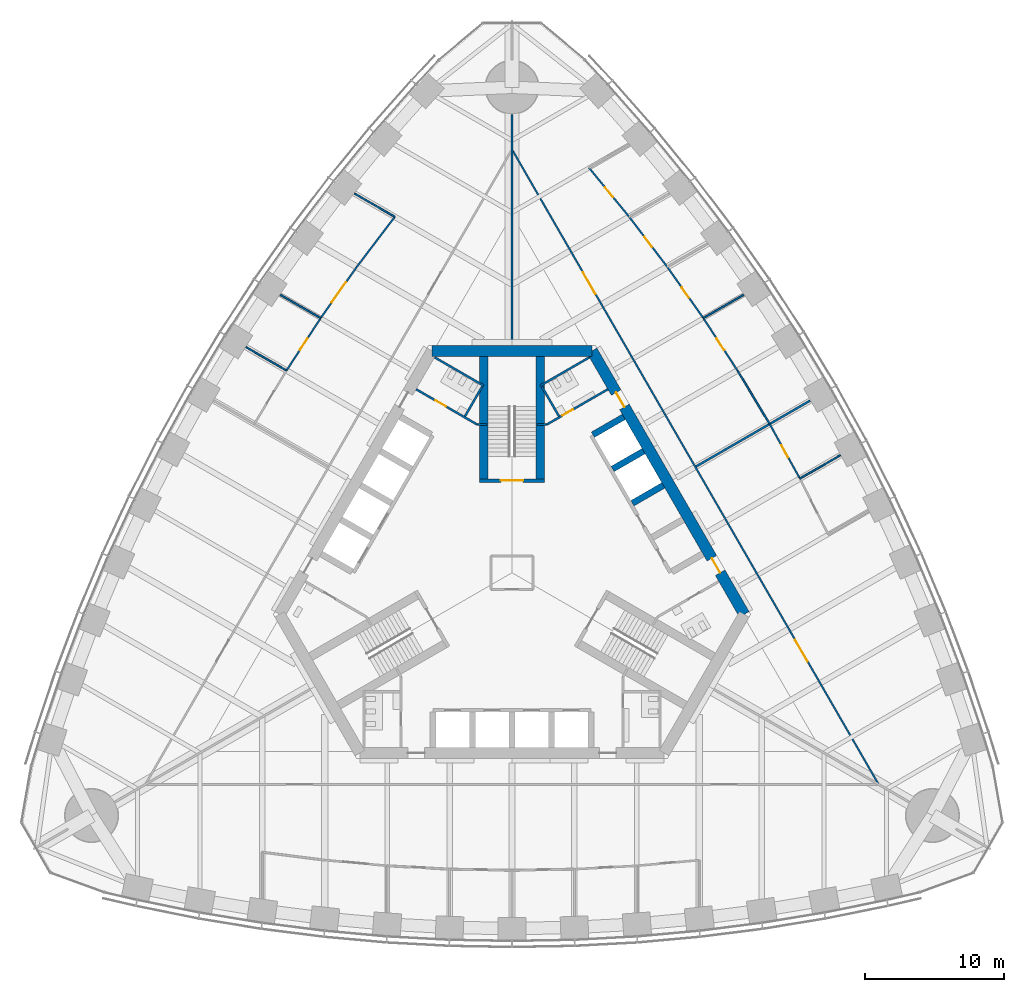
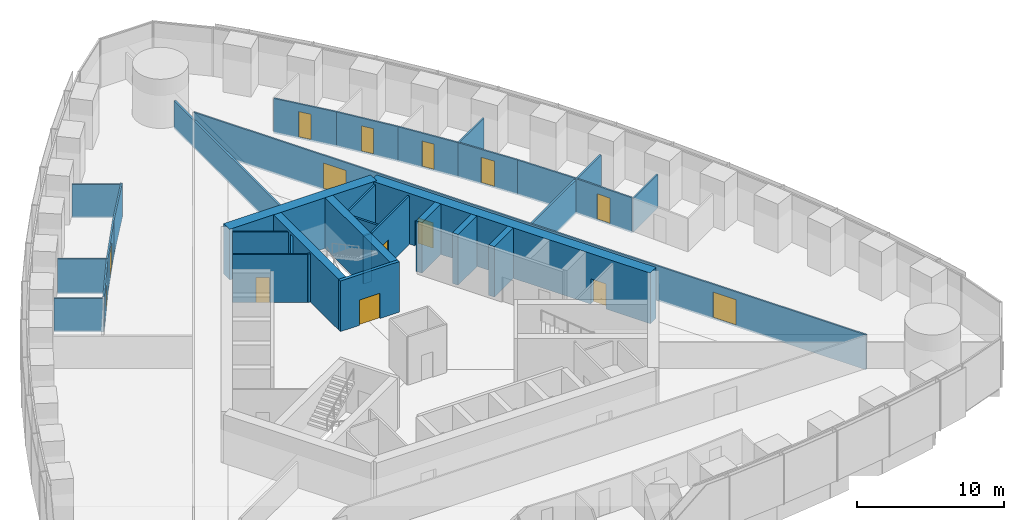
# One storey, part 13 of 19: 33 walls, 14 doors, 14 openings.
"""IFC4 building model written with IfcOpenShell, lengths in metres."""

import ifcopenshell
import ifcopenshell.guid

model = None  # the IFC model being written
_history = None  # IfcOwnerHistory: only IFC2X3 demands one
_inside = {}  # id of a spatial element -> (the spatial element, [elements in it])
_under = {}  # id of a project, library or spatial element -> (it, [spatial elements below it])
_declared = {}  # id of a project -> (the project, [libraries it declares])
_typed = {}  # id of a type object -> (the type object, [elements of that type])
_made_of = {}  # id of a material, layer set ... -> (it, [elements and type objects made of it])


def new_model(schema):
    """Start an empty IFC model of exactly this schema.

    Asked for "IFC4X3", IfcOpenShell would pick the latest addendum, in which some entities
    have other attributes; the version numbers below select the first issue.
    IFC2X3 requires an IfcOwnerHistory on every rooted entity: one is made here for all.
    """
    global model, _history
    if schema == "IFC4X3":
        model = ifcopenshell.file(schema_version=(4, 3, 0, 0))
    else:
        model = ifcopenshell.file(schema=schema)
    _inside.clear()
    _under.clear()
    _declared.clear()
    _typed.clear()
    _made_of.clear()
    _history = None
    if model.schema == "IFC2X3":
        org = make("IfcOrganization", Name="unknown")
        user = make(
            "IfcPersonAndOrganization",
            ThePerson=make("IfcPerson", FamilyName="unknown"),
            TheOrganization=org,
        )
        app = make(
            "IfcApplication",
            ApplicationDeveloper=org,
            Version="unknown",
            ApplicationFullName="unknown",
            ApplicationIdentifier="unknown",
        )
        _history = make(
            "IfcOwnerHistory",
            OwningUser=user,
            OwningApplication=app,
            ChangeAction="ADDED",
            CreationDate=0,
        )
    return model


def make(cls, **values):
    """One entity of the class cls with the attributes given. An attribute that is None is left unset."""
    return model.create_entity(
        cls, **{name: value for name, value in values.items() if value is not None}
    )


def rooted(cls, **values):
    """An entity with a GlobalId (a new one), such as an element, a storey or a relation."""
    return make(cls, GlobalId=ifcopenshell.guid.new(), OwnerHistory=_history, **values)


def si_unit(unit_type, name, prefix=None):
    """IfcSIUnit, for example si_unit("LENGTHUNIT", "METRE", prefix="MILLI")."""
    return make("IfcSIUnit", UnitType=unit_type, Prefix=prefix, Name=name)


def assignment(units):
    """IfcUnitAssignment: the units of a project."""
    return None if units is None else make("IfcUnitAssignment", Units=units)


def point(xyz):
    """IfcCartesianPoint."""
    return None if xyz is None else make("IfcCartesianPoint", Coordinates=xyz)


def direction(xyz):
    """IfcDirection."""
    return None if xyz is None else make("IfcDirection", DirectionRatios=xyz)


def frame(location, z_axis=None, x_axis=None):
    """IfcAxis2Placement3D, a coordinate frame: its origin and axes. An axis left out is left unset."""
    return make(
        "IfcAxis2Placement3D",
        Location=point(location),
        Axis=direction(z_axis),
        RefDirection=direction(x_axis),
    )


def frame_2d(location, x_axis=None):
    """IfcAxis2Placement2D, a coordinate frame in the plane: its origin and x axis."""
    return make(
        "IfcAxis2Placement2D", Location=point(location), RefDirection=direction(x_axis)
    )


def origin():
    """The frame at (0, 0, 0) with its axes left unset."""
    return frame((0.0, 0.0, 0.0))


def place(relative_to, where):
    """IfcLocalPlacement: puts the frame where relative to a parent placement (None: the world)."""
    return make(
        "IfcLocalPlacement", PlacementRelTo=relative_to, RelativePlacement=where
    )


def context(
    kind, dimensions, precision=None, world=None, true_north=None, identifier=None
):
    """IfcGeometricRepresentationContext, for example the 3D "Model" context."""
    return make(
        "IfcGeometricRepresentationContext",
        ContextIdentifier=identifier,
        ContextType=kind,
        CoordinateSpaceDimension=dimensions,
        Precision=precision,
        WorldCoordinateSystem=world,
        TrueNorth=true_north,
    )


def subcontext(parent, identifier, kind, view, scale=None):
    """IfcGeometricRepresentationSubContext, for example "Body" below "Model"."""
    return make(
        "IfcGeometricRepresentationSubContext",
        ContextIdentifier=identifier,
        ContextType=kind,
        ParentContext=parent,
        TargetScale=scale,
        TargetView=view,
    )


def project(units=None, contexts=None):
    """IfcProject with its units and contexts."""
    return rooted(
        "IfcProject",
        Name="project",
        RepresentationContexts=contexts,
        UnitsInContext=assignment(units),
    )


def spatial(cls, under=None, at=None, **own):
    """A site, building, storey or space (cls), placed at a placement, below another one or the project."""
    s = rooted(cls, ObjectPlacement=at, **own)
    if under is not None:
        _under.setdefault(under.id(), (under, []))[1].append(s)
    return s


def profile(cls, at=None, kind="AREA", **sizes):
    """A parametric profile (cls). Its sizes go by their IFC names, for example OverallWidth=200.0."""
    return make(cls, ProfileType=kind, Position=at, **sizes)


def rectangle(**sizes):
    """IfcRectangleProfileDef."""
    return profile("IfcRectangleProfileDef", **sizes)


def extrude(swept, where, along, depth):
    """IfcExtrudedAreaSolid: the profile swept, set in the frame where, extruded along a direction by depth."""
    return make(
        "IfcExtrudedAreaSolid",
        SweptArea=swept,
        Position=where,
        ExtrudedDirection=direction(along),
        Depth=depth,
    )


def shape(context_of_items, identifier, shape_type, items):
    """IfcShapeRepresentation: the items that make up one representation, for example the "Body"."""
    return make(
        "IfcShapeRepresentation",
        ContextOfItems=context_of_items,
        RepresentationIdentifier=identifier,
        RepresentationType=shape_type,
        Items=items,
    )


def material(Name=None, Category=None):
    """IfcMaterial."""
    return make("IfcMaterial", Name=Name, Category=Category)


def layer(
    of_material, thickness, ventilated=None, Name=None, Category=None, Priority=None
):
    """IfcMaterialLayer: one layer of a wall or slab, of a material (None: an air gap)."""
    return make(
        "IfcMaterialLayer",
        Material=of_material,
        LayerThickness=thickness,
        IsVentilated=ventilated,
        Name=Name,
        Category=Category,
        Priority=Priority,
    )


def layer_set(layers, Name=None):
    """IfcMaterialLayerSet."""
    return make("IfcMaterialLayerSet", MaterialLayers=layers, LayerSetName=Name)


def made_of(thing, what):
    """Note that an element or type object is made of a material, layer set ...; save() writes the relation."""
    if what is not None:
        _made_of.setdefault(what.id(), (what, []))[1].append(thing)
    return thing


def type_object(cls, material=None, **own):
    """A type object (cls), such as IfcWallType, which elements share."""
    return made_of(rooted(cls, **own), material)


def element(
    cls,
    number,
    at=None,
    inside=None,
    cuts=None,
    type_object=None,
    material=None,
    context=None,
    identifier="Body",
    shape_type=None,
    held_by="IfcProductDefinitionShape",
    body=None,
    shapes=None,
    **own,
):
    """One element of the class cls, such as IfcWall. Its Tag is "e" and its number.

    at: its placement. inside: the storey or other place that contains it. cuts: it is an
    opening in that element (IfcRelVoidsElement). A single representation is given by context,
    identifier, shape_type and body (its items); several are given by shapes. held_by: the class
    of the entity that holds the representations. save() writes the other relations.
    """
    e = rooted(cls, Tag="e%d" % number, ObjectPlacement=at, **own)
    if body is not None:
        shapes = [shape(context, identifier, shape_type, body)]
    if shapes is not None:
        e.Representation = make(held_by, Representations=shapes)
    if inside is not None:
        _inside.setdefault(inside.id(), (inside, []))[1].append(e)
    if cuts is not None:
        rooted(
            "IfcRelVoidsElement", RelatingBuildingElement=cuts, RelatedOpeningElement=e
        )
    if type_object is not None:
        _typed.setdefault(type_object.id(), (type_object, []))[1].append(e)
    return made_of(e, material)


def fill(opening, filler):
    """IfcRelFillsElement: the door or window that sits in an opening."""
    return rooted(
        "IfcRelFillsElement",
        RelatingOpeningElement=opening,
        RelatedBuildingElement=filler,
    )


def aggregate(whole, parts):
    """IfcRelAggregates: a whole, such as a stair, and the parts it consists of."""
    return rooted("IfcRelAggregates", RelatingObject=whole, RelatedObjects=parts)


def save(model, path):
    """Write the relations noted so far, then the file.

    IfcRelAggregates (storeys below a building ...), IfcRelContainedInSpatialStructure (elements
    in a storey), IfcRelDefinesByType, IfcRelAssociatesMaterial and IfcRelDeclares: one each for
    every whole, place, type object, material and project.
    """
    for whole, parts in _under.values():
        aggregate(whole, parts)
    for where, things in _inside.values():
        rooted(
            "IfcRelContainedInSpatialStructure",
            RelatedElements=things,
            RelatingStructure=where,
        )
    for kind, things in _typed.values():
        rooted("IfcRelDefinesByType", RelatedObjects=things, RelatingType=kind)
    for what, things in _made_of.values():
        rooted("IfcRelAssociatesMaterial", RelatedObjects=things, RelatingMaterial=what)
    for by, libraries in _declared.values():
        rooted("IfcRelDeclares", RelatingContext=by, RelatedDefinitions=libraries)
    model.write(path)


model = new_model("IFC4")

# Units and contexts
model_context = context("Model", 3, precision=1e-05, world=origin(), true_north=direction((0.0, 1.0)))
body_context = subcontext(model_context, "Body", "Model", "MODEL_VIEW")
ifc_project = project(units=[si_unit("LENGTHUNIT", "METRE"), si_unit("AREAUNIT", "SQUARE_METRE"), si_unit("VOLUMEUNIT", "CUBIC_METRE"), si_unit("PLANEANGLEUNIT", "RADIAN"), si_unit("MASSUNIT", "GRAM", prefix="KILO")], contexts=[model_context])

# Site, building, storey
site_placement = place(None, origin())
site = spatial("IfcSite", under=ifc_project, at=site_placement, CompositionType="ELEMENT")
building_placement = place(site_placement, origin())
building = spatial("IfcBuilding", under=site, at=building_placement, Name="Trefoil Bronze Tower", CompositionType="ELEMENT")
storey_placement = place(building_placement, frame((0.0, 0.0, 166.10009765625)))
storey = spatial("IfcBuildingStorey", under=building, at=storey_placement, Name="L38", CompositionType="ELEMENT", Elevation=166.10009765625)

# Wall, openings, doors
ifc_material_1 = material(Name="Concrete B80", Category="concrete")
ifc_layer_1 = layer(ifc_material_1, 0.800048828125)
ifc_layer_set_1 = layer_set([ifc_layer_1], Name="Core wall 800")
wall_type_1 = type_object("IfcWallType", Name="Core wall 800", PredefinedType="SHEAR", material=ifc_layer_set_1)
wall_1_placement = place(storey_placement, frame((16.7431640625, -3.0, 0.0), z_axis=(0.0, 0.0, 1.0), x_axis=(-0.500002442456, 0.866023993627, 0.0)))
wall_1 = element("IfcWall", 1, at=wall_1_placement, inside=storey, type_object=wall_type_1, Name="Core long wall 2 L38", PredefinedType="SHEAR", context=body_context, shape_type="SweptSolid", body=[
    extrude(rectangle(XDim=21.939453125, YDim=0.800048828125, at=frame_2d((10.9697265625, 0.0))), origin(), (0.0, 0.0, 1.0), 4.199951171875),
])
opening_1_placement = place(wall_1_placement, frame((17.269775390625, 0.0, 0.0)))
opening_1 = element("IfcOpeningElement", 2, at=opening_1_placement, cuts=wall_1, Name="Opening D2", PredefinedType="OPENING", context=body_context, shape_type="SweptSolid", body=[
    extrude(rectangle(XDim=1.199951171875, YDim=2.10009765625, at=frame_2d((0.60009765625, 1.050048828125))), frame((0.0, 0.409912109375, 0.0), z_axis=(0.0, -1.0, 0.0), x_axis=(1.0, 0.0, 0.0)), (0.0, 0.0, 1.0), 0.820068359375),
])
opening_2_placement = place(wall_1_placement, frame((3.4697265625, 0.0, 0.0)))
opening_2 = element("IfcOpeningElement", 3, at=opening_2_placement, cuts=wall_1, Name="Opening D2", PredefinedType="OPENING", context=body_context, shape_type="SweptSolid", body=[
    extrude(rectangle(XDim=1.199951171875, YDim=2.10009765625, at=frame_2d((0.60009765625, 1.050048828125))), frame((0.0, 0.409912109375, 0.0), z_axis=(0.0, -1.0, 0.0), x_axis=(1.0, 0.0, 0.0)), (0.0, 0.0, 1.0), 0.820068359375),
])
ifc_material_2 = material(Name="Steel door", Category="steel")
door_type_1 = type_object("IfcDoorType", Name="Lobby door 1200", OperationType="SINGLE_SWING_RIGHT", PredefinedType="DOOR", material=ifc_material_2)
door_1_placement = place(opening_1_placement, origin())
door_1 = element("IfcDoor", 4, at=door_1_placement, inside=storey, type_object=door_type_1, Name="Lobby door F2+ L38", OperationType="SINGLE_SWING_RIGHT", OverallHeight=2.10009765625, OverallWidth=1.199951171875, PredefinedType="DOOR", context=body_context, shape_type="SweptSolid", body=[
    extrude(rectangle(XDim=1.199951171875, YDim=2.10009765625, at=frame_2d((0.60009765625, 1.050048828125))), frame((0.0, 0.02490234375, 0.0), z_axis=(0.0, -1.0, 0.0), x_axis=(1.0, 0.0, 0.0)), (0.0, 0.0, 1.0), 0.050048828125),
])
fill(opening_1, door_1)
door_2_placement = place(opening_2_placement, origin())
door_2 = element("IfcDoor", 5, at=door_2_placement, inside=storey, type_object=door_type_1, Name="Lobby door F2- L38", OperationType="SINGLE_SWING_LEFT", OverallHeight=2.10009765625, OverallWidth=1.199951171875, PredefinedType="DOOR", context=body_context, shape_type="SweptSolid", body=[
    extrude(rectangle(XDim=1.199951171875, YDim=2.10009765625, at=frame_2d((0.60009765625, 1.050048828125))), frame((0.0, 0.02490234375, 0.0), z_axis=(0.0, -1.0, 0.0), x_axis=(1.0, 0.0, 0.0)), (0.0, 0.0, 1.0), 0.050048828125),
])
fill(opening_2, door_2)

# Wall
wall_2_placement = place(storey_placement, frame((5.7734375, 16.0, 0.0), z_axis=(0.0, 0.0, 1.0), x_axis=(-1.0, 0.0, 0.0)))
element("IfcWall", 6, at=wall_2_placement, inside=storey, type_object=wall_type_1, Name="Core short wall 2 L38", PredefinedType="SHEAR", context=body_context, shape_type="SweptSolid", body=[
    extrude(rectangle(XDim=11.546875, YDim=0.800048828125, at=frame_2d((5.7734375, 0.0))), origin(), (0.0, 0.0, 1.0), 4.199951171875),
])

# Wall, openings, doors
ifc_material_3 = material(Name="Glazed partition", Category="glass")
ifc_layer_2 = layer(ifc_material_3, 0.1201171875)
ifc_layer_set_2 = layer_set([ifc_layer_2], Name="Glazed partition 120")
wall_type_2 = type_object("IfcWallType", Name="Glazed partition 120", PredefinedType="PARTITIONING", material=ifc_layer_set_2)
wall_3_placement = place(storey_placement, frame((26.41455078125, -15.2314453125, 0.0), z_axis=(0.0, 0.0, 1.0), x_axis=(-0.50000091641, 0.866024874695, 0.0)))
wall_3 = element("IfcWall", 7, at=wall_3_placement, inside=storey, type_object=wall_type_2, Name="Partition F2 L38", PredefinedType="PARTITIONING", context=body_context, shape_type="SweptSolid", body=[
    extrude(rectangle(XDim=52.79638671875, YDim=0.1201171875, at=frame_2d((26.398193359375, 0.0))), origin(), (0.0, 0.0, 1.0), 2.89990234375),
])
opening_3_placement = place(wall_3_placement, frame((10.199951171875, 0.0, 0.14990234375)))
opening_3 = element("IfcOpeningElement", 8, at=opening_3_placement, cuts=wall_3, Name="Opening D10", PredefinedType="OPENING", context=body_context, shape_type="SweptSolid", body=[
    extrude(rectangle(XDim=1.800048828125, YDim=2.10009765625, at=frame_2d((0.89990234375, 1.050048828125))), frame((0.0, 0.070068359375, 0.0), z_axis=(0.0, -1.0, 0.0), x_axis=(1.0, 0.0, 0.0)), (0.0, 0.0, 1.0), 0.14013671875),
])
opening_4_placement = place(wall_3_placement, frame((40.800048828125, 0.0, 0.14990234375)))
opening_4 = element("IfcOpeningElement", 9, at=opening_4_placement, cuts=wall_3, Name="Opening D10", PredefinedType="OPENING", context=body_context, shape_type="SweptSolid", body=[
    extrude(rectangle(XDim=1.800048828125, YDim=2.10009765625, at=frame_2d((0.89990234375, 1.050048828125))), frame((0.0, 0.070068359375, 0.0), z_axis=(0.0, -1.0, 0.0), x_axis=(1.0, 0.0, 0.0)), (0.0, 0.0, 1.0), 0.14013671875),
])
ifc_material_4 = material(Name="Timber door", Category="wood")
door_type_2 = type_object("IfcDoorType", Name="Double door 1800", OperationType="DOUBLE_DOOR_SINGLE_SWING", PredefinedType="DOOR", material=ifc_material_4)
door_3_placement = place(opening_3_placement, origin())
door_3 = element("IfcDoor", 10, at=door_3_placement, inside=storey, type_object=door_type_2, Name="Corridor door F2 L38", OperationType="DOUBLE_DOOR_SINGLE_SWING", OverallHeight=2.10009765625, OverallWidth=1.800048828125, PredefinedType="DOOR", context=body_context, shape_type="SweptSolid", body=[
    extrude(rectangle(XDim=1.800048828125, YDim=2.10009765625, at=frame_2d((0.89990234375, 1.050048828125))), frame((0.0, 0.02490234375, 0.0), z_axis=(0.0, -1.0, 0.0), x_axis=(1.0, 0.0, 0.0)), (0.0, 0.0, 1.0), 0.050048828125),
])
fill(opening_3, door_3)
door_4_placement = place(opening_4_placement, origin())
door_4 = element("IfcDoor", 11, at=door_4_placement, inside=storey, type_object=door_type_2, Name="Corridor door F2 L38", OperationType="DOUBLE_DOOR_SINGLE_SWING", OverallHeight=2.10009765625, OverallWidth=1.800048828125, PredefinedType="DOOR", context=body_context, shape_type="SweptSolid", body=[
    extrude(rectangle(XDim=1.800048828125, YDim=2.10009765625, at=frame_2d((0.89990234375, 1.050048828125))), frame((0.0, 0.02490234375, 0.0), z_axis=(0.0, -1.0, 0.0), x_axis=(1.0, 0.0, 0.0)), (0.0, 0.0, 1.0), 0.050048828125),
])
fill(opening_4, door_4)

# Wall
wall_4_placement = place(storey_placement, frame((18.575927734375, 10.724853515625, 0.0), z_axis=(0.0, 0.0, 1.0), x_axis=(-0.515548366618, 0.856860479703, 0.0)))
element("IfcWall", 12, at=wall_4_placement, inside=storey, type_object=wall_type_2, Name="Partition F2 L38", PredefinedType="PARTITIONING", context=body_context, shape_type="SweptSolid", body=[
    extrude(rectangle(XDim=4.500732421875, YDim=0.1201171875, at=frame_2d((2.25048828125, 0.0))), origin(), (0.0, 0.0, 1.0), 2.89990234375),
])

# Wall, opening, door
wall_5_placement = place(storey_placement, frame((11.192138671875, 22.05029296875, 0.0), z_axis=(0.0, 0.0, 1.0), x_axis=(-0.605274299339, 0.796016973789, 0.0)))
wall_5 = element("IfcWall", 13, at=wall_5_placement, inside=storey, type_object=wall_type_2, Name="Partition F2 L38", PredefinedType="PARTITIONING", context=body_context, shape_type="SweptSolid", body=[
    extrude(rectangle(XDim=4.5361328125, YDim=0.1201171875, at=frame_2d((2.26806640625, 0.0))), origin(), (0.0, 0.0, 1.0), 2.89990234375),
])
opening_5_placement = place(wall_5_placement, frame((1.800048828125, 0.0, 0.14990234375)))
opening_5 = element("IfcOpeningElement", 14, at=opening_5_placement, cuts=wall_5, Name="Opening D8", PredefinedType="OPENING", context=body_context, shape_type="SweptSolid", body=[
    extrude(rectangle(XDim=0.89990234375, YDim=2.10009765625, at=frame_2d((0.449951171875, 1.050048828125))), frame((0.0, 0.070068359375, 0.0), z_axis=(0.0, -1.0, 0.0), x_axis=(1.0, 0.0, 0.0)), (0.0, 0.0, 1.0), 0.14013671875),
])
ifc_material_5 = material(Name="Timber door", Category="wood")
door_type_3 = type_object("IfcDoorType", Name="Office door 900", OperationType="SINGLE_SWING_LEFT", PredefinedType="DOOR", material=ifc_material_5)
door_5_placement = place(opening_5_placement, frame((0.89990234375, 0.0, 0.0), z_axis=(0.0, 0.0, 1.0), x_axis=(-1.0, 0.0, 0.0)))
door_5 = element("IfcDoor", 15, at=door_5_placement, inside=storey, type_object=door_type_3, Name="Office door F2 L38", OperationType="SINGLE_SWING_RIGHT", OverallHeight=2.10009765625, OverallWidth=0.89990234375, PredefinedType="DOOR", context=body_context, shape_type="SweptSolid", body=[
    extrude(rectangle(XDim=0.89990234375, YDim=2.10009765625, at=frame_2d((0.449951171875, 1.050048828125))), frame((0.0, 0.02490234375, 0.0), z_axis=(0.0, -1.0, 0.0), x_axis=(1.0, 0.0, 0.0)), (0.0, 0.0, 1.0), 0.050048828125),
])
fill(opening_5, door_5)

wall_6_placement = place(storey_placement, frame((8.446533203125, 25.6611328125, 0.0), z_axis=(0.0, 0.0, 1.0), x_axis=(-0.633843962561, 0.773460943503, 0.0)))
wall_6 = element("IfcWall", 16, at=wall_6_placement, inside=storey, type_object=wall_type_2, Name="Partition F2 L38", PredefinedType="PARTITIONING", context=body_context, shape_type="SweptSolid", body=[
    extrude(rectangle(XDim=4.560546875, YDim=0.1201171875, at=frame_2d((2.2802734375, 0.0))), origin(), (0.0, 0.0, 1.0), 2.89990234375),
])
opening_6_placement = place(wall_6_placement, frame((1.85009765625, 0.0, 0.14990234375)))
opening_6 = element("IfcOpeningElement", 17, at=opening_6_placement, cuts=wall_6, Name="Opening D8", PredefinedType="OPENING", context=body_context, shape_type="SweptSolid", body=[
    extrude(rectangle(XDim=0.89990234375, YDim=2.10009765625, at=frame_2d((0.449951171875, 1.050048828125))), frame((0.0, 0.070068359375, 0.0), z_axis=(0.0, -1.0, 0.0), x_axis=(1.0, 0.0, 0.0)), (0.0, 0.0, 1.0), 0.14013671875),
])
door_6_placement = place(opening_6_placement, frame((0.89990234375, 0.0, 0.0), z_axis=(0.0, 0.0, 1.0), x_axis=(-1.0, 0.0, 0.0)))
door_6 = element("IfcDoor", 18, at=door_6_placement, inside=storey, type_object=door_type_3, Name="Office door F2 L38", OperationType="SINGLE_SWING_LEFT", OverallHeight=2.10009765625, OverallWidth=0.89990234375, PredefinedType="DOOR", context=body_context, shape_type="SweptSolid", body=[
    extrude(rectangle(XDim=0.89990234375, YDim=2.10009765625, at=frame_2d((0.449951171875, 1.050048828125))), frame((0.0, 0.02490234375, 0.0), z_axis=(0.0, -1.0, 0.0), x_axis=(1.0, 0.0, 0.0)), (0.0, 0.0, 1.0), 0.050048828125),
])
fill(opening_6, door_6)

wall_7_placement = place(storey_placement, frame((16.255615234375, 14.581298828125, 0.0), z_axis=(0.0, 0.0, 1.0), x_axis=(-0.546069464151, 0.837739900161, 0.0)))
wall_7 = element("IfcWall", 19, at=wall_7_placement, inside=storey, type_object=wall_type_2, Name="Partition F2 L38", PredefinedType="PARTITIONING", context=body_context, shape_type="SweptSolid", body=[
    extrude(rectangle(XDim=4.506591796875, YDim=0.1201171875, at=frame_2d((2.25341796875, 0.0))), origin(), (0.0, 0.0, 1.0), 2.89990234375),
])
opening_7_placement = place(wall_7_placement, frame((1.75, 0.0, 0.14990234375)))
opening_7 = element("IfcOpeningElement", 20, at=opening_7_placement, cuts=wall_7, Name="Opening D9", PredefinedType="OPENING", context=body_context, shape_type="SweptSolid", body=[
    extrude(rectangle(XDim=1.0, YDim=2.10009765625, at=frame_2d((0.5, 1.050048828125))), frame((0.0, 0.070068359375, 0.0), z_axis=(0.0, -1.0, 0.0), x_axis=(1.0, 0.0, 0.0)), (0.0, 0.0, 1.0), 0.14013671875),
])
ifc_material_6 = material(Name="Glazed timber door", Category="wood")
door_type_4 = type_object("IfcDoorType", Name="Meeting room door 1000", OperationType="SINGLE_SWING_LEFT", PredefinedType="DOOR", material=ifc_material_6)
door_7_placement = place(opening_7_placement, frame((1.0, 0.0, 0.0), z_axis=(0.0, 0.0, 1.0), x_axis=(-1.0, 0.0, 0.0)))
door_7 = element("IfcDoor", 21, at=door_7_placement, inside=storey, type_object=door_type_4, Name="Meeting room door F2 L38", OperationType="SINGLE_SWING_RIGHT", OverallHeight=2.10009765625, OverallWidth=1.0, PredefinedType="DOOR", context=body_context, shape_type="SweptSolid", body=[
    extrude(rectangle(XDim=1.0, YDim=2.10009765625, at=frame_2d((0.5, 1.050048828125))), frame((0.0, 0.02490234375, 0.0), z_axis=(0.0, -1.0, 0.0), x_axis=(1.0, 0.0, 0.0)), (0.0, 0.0, 1.0), 0.050048828125),
])
fill(opening_7, door_7)

wall_8_placement = place(storey_placement, frame((13.794677734375, 18.356689453125, 0.0), z_axis=(0.0, 0.0, 1.0), x_axis=(-0.575987178736, 0.817458726745, 0.0)))
wall_8 = element("IfcWall", 22, at=wall_8_placement, inside=storey, type_object=wall_type_2, Name="Partition F2 L38", PredefinedType="PARTITIONING", context=body_context, shape_type="SweptSolid", body=[
    extrude(rectangle(XDim=4.518310546875, YDim=0.1201171875, at=frame_2d((2.25927734375, 0.0))), origin(), (0.0, 0.0, 1.0), 2.89990234375),
])
opening_8_placement = place(wall_8_placement, frame((1.800048828125, 0.0, 0.14990234375)))
opening_8 = element("IfcOpeningElement", 23, at=opening_8_placement, cuts=wall_8, Name="Opening D8", PredefinedType="OPENING", context=body_context, shape_type="SweptSolid", body=[
    extrude(rectangle(XDim=0.89990234375, YDim=2.10009765625, at=frame_2d((0.449951171875, 1.050048828125))), frame((0.0, 0.070068359375, 0.0), z_axis=(0.0, -1.0, 0.0), x_axis=(1.0, 0.0, 0.0)), (0.0, 0.0, 1.0), 0.14013671875),
])
door_8_placement = place(opening_8_placement, frame((0.89990234375, 0.0, 0.0), z_axis=(0.0, 0.0, 1.0), x_axis=(-1.0, 0.0, 0.0)))
door_8 = element("IfcDoor", 24, at=door_8_placement, inside=storey, type_object=door_type_3, Name="Office door F2 L38", OperationType="SINGLE_SWING_RIGHT", OverallHeight=2.10009765625, OverallWidth=0.89990234375, PredefinedType="DOOR", context=body_context, shape_type="SweptSolid", body=[
    extrude(rectangle(XDim=0.89990234375, YDim=2.10009765625, at=frame_2d((0.449951171875, 1.050048828125))), frame((0.0, 0.02490234375, 0.0), z_axis=(0.0, -1.0, 0.0), x_axis=(1.0, 0.0, 0.0)), (0.0, 0.0, 1.0), 0.050048828125),
])
fill(opening_8, door_8)

wall_9_placement = place(storey_placement, frame((20.755615234375, 6.787109375, 0.0), z_axis=(0.0, 0.0, 1.0), x_axis=(-0.484292898211, 0.874905931368, 0.0)))
wall_9 = element("IfcWall", 25, at=wall_9_placement, inside=storey, type_object=wall_type_2, Name="Partition F2 L38", PredefinedType="PARTITIONING", context=body_context, shape_type="SweptSolid", body=[
    extrude(rectangle(XDim=4.500732421875, YDim=0.1201171875, at=frame_2d((2.25048828125, 0.0))), origin(), (0.0, 0.0, 1.0), 2.89990234375),
])
opening_9_placement = place(wall_9_placement, frame((1.75, 0.0, 0.14990234375)))
opening_9 = element("IfcOpeningElement", 26, at=opening_9_placement, cuts=wall_9, Name="Opening D9", PredefinedType="OPENING", context=body_context, shape_type="SweptSolid", body=[
    extrude(rectangle(XDim=1.0, YDim=2.10009765625, at=frame_2d((0.5, 1.050048828125))), frame((0.0, 0.070068359375, 0.0), z_axis=(0.0, -1.0, 0.0), x_axis=(1.0, 0.0, 0.0)), (0.0, 0.0, 1.0), 0.14013671875),
])
door_9_placement = place(opening_9_placement, frame((1.0, 0.0, 0.0), z_axis=(0.0, 0.0, 1.0), x_axis=(-1.0, 0.0, 0.0)))
door_9 = element("IfcDoor", 27, at=door_9_placement, inside=storey, type_object=door_type_4, Name="Meeting room door F2 L38", OperationType="SINGLE_SWING_RIGHT", OverallHeight=2.10009765625, OverallWidth=1.0, PredefinedType="DOOR", context=body_context, shape_type="SweptSolid", body=[
    extrude(rectangle(XDim=1.0, YDim=2.10009765625, at=frame_2d((0.5, 1.050048828125))), frame((0.0, 0.02490234375, 0.0), z_axis=(0.0, -1.0, 0.0), x_axis=(1.0, 0.0, 0.0)), (0.0, 0.0, 1.0), 0.050048828125),
])
fill(opening_9, door_9)

# Walls
wall_10_placement = place(storey_placement, frame((13.794677734375, 18.356689453125, 0.0), z_axis=(0.0, 0.0, 1.0), x_axis=(0.866024928363, 0.500000823453, 0.0)))
element("IfcWall", 28, at=wall_10_placement, inside=storey, type_object=wall_type_2, Name="Partition F2 L38", PredefinedType="PARTITIONING", context=body_context, shape_type="SweptSolid", body=[
    extrude(rectangle(XDim=3.36572265625, YDim=0.1201171875, at=frame_2d((1.682861328125, 0.0))), origin(), (0.0, 0.0, 1.0), 2.89990234375),
])
wall_11_placement = place(storey_placement, frame((20.755615234375, 6.787109375, 0.0), z_axis=(0.0, 0.0, 1.0), x_axis=(0.866022675988, 0.500004724652, 0.0)))
element("IfcWall", 29, at=wall_11_placement, inside=storey, type_object=wall_type_2, Name="Partition F2 L38", PredefinedType="PARTITIONING", context=body_context, shape_type="SweptSolid", body=[
    extrude(rectangle(XDim=3.369140625, YDim=0.1201171875, at=frame_2d((1.6845703125, 0.0))), origin(), (0.0, 0.0, 1.0), 2.7998046875),
])

# Wall, opening, door
wall_12_placement = place(storey_placement, frame((-11.192138671875, 22.05029296875, 0.0), z_axis=(0.0, 0.0, 1.0), x_axis=(-0.575987178736, -0.817458726745, 0.0)))
wall_12 = element("IfcWall", 30, at=wall_12_placement, inside=storey, type_object=wall_type_2, Name="Partition F3 L38", PredefinedType="PARTITIONING", context=body_context, shape_type="SweptSolid", body=[
    extrude(rectangle(XDim=4.518310546875, YDim=0.1201171875, at=frame_2d((2.25927734375, 0.0))), origin(), (0.0, 0.0, 1.0), 2.89990234375),
])
opening_10_placement = place(wall_12_placement, frame((1.35009765625, 0.0, 0.14990234375)))
opening_10 = element("IfcOpeningElement", 31, at=opening_10_placement, cuts=wall_12, Name="Opening D10", PredefinedType="OPENING", context=body_context, shape_type="SweptSolid", body=[
    extrude(rectangle(XDim=1.800048828125, YDim=2.10009765625, at=frame_2d((0.89990234375, 1.050048828125))), frame((0.0, 0.070068359375, 0.0), z_axis=(0.0, -1.0, 0.0), x_axis=(1.0, 0.0, 0.0)), (0.0, 0.0, 1.0), 0.14013671875),
])
door_10_placement = place(opening_10_placement, frame((1.800048828125, 0.0, 0.0), z_axis=(0.0, 0.0, 1.0), x_axis=(-1.0, 0.0, 0.0)))
door_10 = element("IfcDoor", 32, at=door_10_placement, inside=storey, type_object=door_type_2, Name="Library door F3 L38", OperationType="DOUBLE_DOOR_SINGLE_SWING", OverallHeight=2.10009765625, OverallWidth=1.800048828125, PredefinedType="DOOR", context=body_context, shape_type="SweptSolid", body=[
    extrude(rectangle(XDim=1.800048828125, YDim=2.10009765625, at=frame_2d((0.89990234375, 1.050048828125))), frame((0.0, 0.02490234375, 0.0), z_axis=(0.0, -1.0, 0.0), x_axis=(1.0, 0.0, 0.0)), (0.0, 0.0, 1.0), 0.050048828125),
])
fill(opening_10, door_10)

# Wall
wall_13_placement = place(storey_placement, frame((-8.446533203125, 25.6611328125, 0.0), z_axis=(0.0, 0.0, 1.0), x_axis=(-0.605274299339, -0.796016973789, 0.0)))
element("IfcWall", 33, at=wall_13_placement, inside=storey, type_object=wall_type_2, Name="Partition F3 L38", PredefinedType="PARTITIONING", context=body_context, shape_type="SweptSolid", body=[
    extrude(rectangle(XDim=4.5361328125, YDim=0.1201171875, at=frame_2d((2.26806640625, 0.0))), origin(), (0.0, 0.0, 1.0), 2.89990234375),
])

# Wall, opening, door
wall_14_placement = place(storey_placement, frame((-13.794677734375, 18.356689453125, 0.0), z_axis=(0.0, 0.0, 1.0), x_axis=(-0.546069464151, -0.837739900161, 0.0)))
wall_14 = element("IfcWall", 34, at=wall_14_placement, inside=storey, type_object=wall_type_2, Name="Partition F3 L38", PredefinedType="PARTITIONING", context=body_context, shape_type="SweptSolid", body=[
    extrude(rectangle(XDim=4.506591796875, YDim=0.1201171875, at=frame_2d((2.25341796875, 0.0))), origin(), (0.0, 0.0, 1.0), 2.89990234375),
])
opening_11_placement = place(wall_14_placement, frame((1.75, 0.0, 0.14990234375)))
opening_11 = element("IfcOpeningElement", 35, at=opening_11_placement, cuts=wall_14, Name="Opening D9", PredefinedType="OPENING", context=body_context, shape_type="SweptSolid", body=[
    extrude(rectangle(XDim=1.0, YDim=2.10009765625, at=frame_2d((0.5, 1.050048828125))), frame((0.0, 0.070068359375, 0.0), z_axis=(0.0, -1.0, 0.0), x_axis=(1.0, 0.0, 0.0)), (0.0, 0.0, 1.0), 0.14013671875),
])
door_11_placement = place(opening_11_placement, frame((1.0, 0.0, 0.0), z_axis=(0.0, 0.0, 1.0), x_axis=(-1.0, 0.0, 0.0)))
door_11 = element("IfcDoor", 36, at=door_11_placement, inside=storey, type_object=door_type_4, Name="Meeting room door F3 L38", OperationType="SINGLE_SWING_RIGHT", OverallHeight=2.10009765625, OverallWidth=1.0, PredefinedType="DOOR", context=body_context, shape_type="SweptSolid", body=[
    extrude(rectangle(XDim=1.0, YDim=2.10009765625, at=frame_2d((0.5, 1.050048828125))), frame((0.0, 0.02490234375, 0.0), z_axis=(0.0, -1.0, 0.0), x_axis=(1.0, 0.0, 0.0)), (0.0, 0.0, 1.0), 0.050048828125),
])
fill(opening_11, door_11)

# Walls
wall_15_placement = place(storey_placement, frame((-8.446533203125, 25.6611328125, 0.0), z_axis=(0.0, 0.0, 1.0), x_axis=(-0.866025533106, 0.499999776008, 0.0)))
element("IfcWall", 37, at=wall_15_placement, inside=storey, type_object=wall_type_2, Name="Partition F3 L38", PredefinedType="PARTITIONING", context=body_context, shape_type="SweptSolid", body=[
    extrude(rectangle(XDim=3.35302734375, YDim=0.1201171875, at=frame_2d((1.676513671875, 0.0))), origin(), (0.0, 0.0, 1.0), 2.7998046875),
])
wall_16_placement = place(storey_placement, frame((-16.255615234375, 14.581298828125, 0.0), z_axis=(0.0, 0.0, 1.0), x_axis=(-0.866022675988, 0.500004724652, 0.0)))
element("IfcWall", 38, at=wall_16_placement, inside=storey, type_object=wall_type_2, Name="Partition F3 L38", PredefinedType="PARTITIONING", context=body_context, shape_type="SweptSolid", body=[
    extrude(rectangle(XDim=3.369140625, YDim=0.1201171875, at=frame_2d((1.6845703125, 0.0))), origin(), (0.0, 0.0, 1.0), 2.7998046875),
])
wall_17_placement = place(storey_placement, frame((-13.794677734375, 18.356689453125, 0.0), z_axis=(0.0, 0.0, 1.0), x_axis=(-0.866024928363, 0.500000823453, 0.0)))
element("IfcWall", 39, at=wall_17_placement, inside=storey, type_object=wall_type_2, Name="Partition F3 L38", PredefinedType="PARTITIONING", context=body_context, shape_type="SweptSolid", body=[
    extrude(rectangle(XDim=3.36572265625, YDim=0.1201171875, at=frame_2d((1.682861328125, 0.0))), origin(), (0.0, 0.0, 1.0), 2.89990234375),
])
ifc_material_7 = material(Name="Concrete B80", Category="concrete")
ifc_layer_3 = layer(ifc_material_7, 0.449951171875)
ifc_layer_set_3 = layer_set([ifc_layer_3], Name="Outrigger shaft wall 450")
wall_type_3 = type_object("IfcWallType", Name="Outrigger shaft wall 450", PredefinedType="SHEAR", material=ifc_layer_set_3)
for number, where, z_axis, x_axis, name in (
    (40, (8.681884765625, 5.012451171875, 0.0), (0.0, 0.0, 1.0), (0.866005588531, 0.500034319456, 0.0), "Lift shaft side wall B2 L38"),
    (41, (7.2568359375, 7.480712890625, 0.0), (0.0, 0.0, 1.0), (0.866046643894, 0.499963209246, 0.0), "Lift shaft side wall B3 L38"),
):
    element("IfcWall", number, at=place(storey_placement, frame(where, z_axis=z_axis, x_axis=x_axis)), inside=storey, type_object=wall_type_3, Name=name, PredefinedType="SHEAR", context=body_context, shape_type="SweptSolid", body=[
        extrude(rectangle(XDim=2.574951171875, YDim=0.449951171875, at=frame_2d((1.28759765625, 0.0))), origin(), (0.0, 0.0, 1.0), 4.199951171875),
    ])
wall_18_placement = place(storey_placement, frame((5.831787109375, 9.94873046875, 0.0), z_axis=(0.0, 0.0, 1.0), x_axis=(0.866029291668, 0.499993265928, 0.0)))
element("IfcWall", 42, at=wall_18_placement, inside=storey, type_object=wall_type_3, Name="Lift shaft side wall B4 L38", PredefinedType="SHEAR", context=body_context, shape_type="SweptSolid", body=[
    extrude(rectangle(XDim=2.5751953125, YDim=0.449951171875, at=frame_2d((1.28759765625, 0.0))), origin(), (0.0, 0.0, 1.0), 4.199951171875),
])

# Wall, opening, door
ifc_material_8 = material(Name="Gypsum board on steel studs", Category="steel")
ifc_layer_4 = layer(ifc_material_8, 0.14990234375)
ifc_layer_set_4 = layer_set([ifc_layer_4], Name="Partition 150")
wall_type_4 = type_object("IfcWallType", Name="Partition 150", PredefinedType="PARTITIONING", material=ifc_layer_set_4)
wall_19_placement = place(storey_placement, frame((2.4951171875, 10.67822265625, 0.0), z_axis=(0.0, 0.0, 1.0), x_axis=(0.86602216432, 0.500005610874, 0.0)))
wall_19 = element("IfcWall", 43, at=wall_19_placement, inside=storey, type_object=wall_type_4, Name="Passage wall F2+ L38", PredefinedType="PARTITIONING", context=body_context, shape_type="SweptSolid", body=[
    extrude(rectangle(XDim=5.10009765625, YDim=0.14990234375, at=frame_2d((2.550048828125, 0.0))), origin(), (0.0, 0.0, 1.0), 4.0),
])
opening_12_placement = place(wall_19_placement, frame((1.300048828125, 0.0, 0.0)))
opening_12 = element("IfcOpeningElement", 44, at=opening_12_placement, cuts=wall_19, Name="Opening D3", PredefinedType="OPENING", context=body_context, shape_type="SweptSolid", body=[
    extrude(rectangle(XDim=0.89990234375, YDim=2.10009765625, at=frame_2d((0.449951171875, 1.050048828125))), frame((0.0, 0.0849609375, 0.0), z_axis=(0.0, -1.0, 0.0), x_axis=(1.0, 0.0, 0.0)), (0.0, 0.0, 1.0), 0.169921875),
])
ifc_material_9 = material(Name="Timber door", Category="wood")
door_type_5 = type_object("IfcDoorType", Name="WC door 900", OperationType="SINGLE_SWING_LEFT", PredefinedType="DOOR", material=ifc_material_9)
door_12_placement = place(opening_12_placement, origin())
door_12 = element("IfcDoor", 45, at=door_12_placement, inside=storey, type_object=door_type_5, Name="WC (men) door L38", OperationType="SINGLE_SWING_LEFT", OverallHeight=2.10009765625, OverallWidth=0.89990234375, PredefinedType="DOOR", context=body_context, shape_type="SweptSolid", body=[
    extrude(rectangle(XDim=0.89990234375, YDim=2.10009765625, at=frame_2d((0.449951171875, 1.050048828125))), frame((0.0, 0.02490234375, 0.0), z_axis=(0.0, -1.0, 0.0), x_axis=(1.0, 0.0, 0.0)), (0.0, 0.0, 1.0), 0.050048828125),
])
fill(opening_12, door_12)

wall_20_placement = place(storey_placement, frame((-2.4951171875, 10.67822265625, 0.0), z_axis=(0.0, 0.0, 1.0), x_axis=(-0.86602216432, 0.500005610874, 0.0)))
wall_20 = element("IfcWall", 46, at=wall_20_placement, inside=storey, type_object=wall_type_4, Name="Passage wall F3- L38", PredefinedType="PARTITIONING", context=body_context, shape_type="SweptSolid", body=[
    extrude(rectangle(XDim=5.10009765625, YDim=0.14990234375, at=frame_2d((2.550048828125, 0.0))), origin(), (0.0, 0.0, 1.0), 4.0),
])
opening_13_placement = place(wall_20_placement, frame((2.60009765625, 0.0, 0.0)))
opening_13 = element("IfcOpeningElement", 47, at=opening_13_placement, cuts=wall_20, Name="Opening D3", PredefinedType="OPENING", context=body_context, shape_type="SweptSolid", body=[
    extrude(rectangle(XDim=0.89990234375, YDim=2.10009765625, at=frame_2d((0.449951171875, 1.050048828125))), frame((0.0, 0.0849609375, 0.0), z_axis=(0.0, -1.0, 0.0), x_axis=(1.0, 0.0, 0.0)), (0.0, 0.0, 1.0), 0.169921875),
])
door_13_placement = place(opening_13_placement, frame((0.89990234375, 0.0, 0.0), z_axis=(0.0, 0.0, 1.0), x_axis=(-1.0, 0.0, 0.0)))
door_13 = element("IfcDoor", 48, at=door_13_placement, inside=storey, type_object=door_type_5, Name="WC (women) door L38", OperationType="SINGLE_SWING_RIGHT", OverallHeight=2.10009765625, OverallWidth=0.89990234375, PredefinedType="DOOR", context=body_context, shape_type="SweptSolid", body=[
    extrude(rectangle(XDim=0.89990234375, YDim=2.10009765625, at=frame_2d((0.449951171875, 1.050048828125))), frame((0.0, 0.02490234375, 0.0), z_axis=(0.0, -1.0, 0.0), x_axis=(1.0, 0.0, 0.0)), (0.0, 0.0, 1.0), 0.050048828125),
])
fill(opening_13, door_13)

# Walls
for number, where, z_axis, x_axis, name in (
    (49, (2.4951171875, 10.67822265625, 0.0), (0.0, 0.0, 1.0), (-1.0, 0.0, 0.0), "WC wall ST2-1 L38"),
    (50, (-2.4951171875, 10.67822265625, 0.0), (0.0, 0.0, 1.0), (1.0, 0.0, 0.0), "WC wall ST2+1 L38"),
):
    element("IfcWall", number, at=place(storey_placement, frame(where, z_axis=z_axis, x_axis=x_axis)), inside=storey, type_object=wall_type_4, Name=name, PredefinedType="PARTITIONING", context=body_context, shape_type="SweptSolid", body=[
        extrude(rectangle(XDim=0.64501953125, YDim=0.14990234375, at=frame_2d((0.322509765625, 0.0))), origin(), (0.0, 0.0, 1.0), 4.0),
    ])
wall_21_placement = place(storey_placement, frame((2.03125, 13.48193359375, 0.0), z_axis=(0.0, 0.0, 1.0), x_axis=(0.866050731258, 0.499956128963, 0.0)))
element("IfcWall", 51, at=wall_21_placement, inside=storey, type_object=wall_type_4, Name="WC partition WC (men) L38", PredefinedType="PARTITIONING", context=body_context, shape_type="SweptSolid", body=[
    extrude(rectangle(XDim=4.099853515625, YDim=0.14990234375, at=frame_2d((2.0498046875, 0.0))), origin(), (0.0, 0.0, 1.0), 4.0),
])
wall_22_placement = place(storey_placement, frame((3.388671875, 11.28076171875, 0.0), z_axis=(0.0, 0.0, 1.0), x_axis=(-0.499989096993, 0.866031698547, 0.0)))
element("IfcWall", 52, at=wall_22_placement, inside=storey, type_object=wall_type_4, Name="WC partition WC (men) L38", PredefinedType="PARTITIONING", context=body_context, shape_type="SweptSolid", body=[
    extrude(rectangle(XDim=2.509765625, YDim=0.14990234375, at=frame_2d((1.2548828125, 0.0))), origin(), (0.0, 0.0, 1.0), 4.0),
])
wall_23_placement = place(storey_placement, frame((-2.03125, 13.48193359375, 0.0), z_axis=(0.0, 0.0, 1.0), x_axis=(-0.866050731258, 0.499956128963, 0.0)))
element("IfcWall", 53, at=wall_23_placement, inside=storey, type_object=wall_type_4, Name="WC partition WC (women) L38", PredefinedType="PARTITIONING", context=body_context, shape_type="SweptSolid", body=[
    extrude(rectangle(XDim=4.099853515625, YDim=0.14990234375, at=frame_2d((2.0498046875, 0.0))), origin(), (0.0, 0.0, 1.0), 4.0),
])
wall_24_placement = place(storey_placement, frame((-3.388671875, 11.28076171875, 0.0), z_axis=(0.0, 0.0, 1.0), x_axis=(0.499989096993, 0.866031698547, 0.0)))
element("IfcWall", 54, at=wall_24_placement, inside=storey, type_object=wall_type_4, Name="WC partition WC (women) L38", PredefinedType="PARTITIONING", context=body_context, shape_type="SweptSolid", body=[
    extrude(rectangle(XDim=2.509765625, YDim=0.14990234375, at=frame_2d((1.2548828125, 0.0))), origin(), (0.0, 0.0, 1.0), 4.0),
])
ifc_material_10 = material(Name="Gypsum board on steel studs", Category="steel")
ifc_layer_5 = layer(ifc_material_10, 0.14990234375)
ifc_layer_set_5 = layer_set([ifc_layer_5], Name="Party wall 150")
wall_type_5 = type_object("IfcWallType", Name="Party wall 150", PredefinedType="PARTITIONING", material=ifc_layer_set_5)
wall_25_placement = place(storey_placement, frame((0.0, 16.39990234375, 0.0), z_axis=(0.0, 0.0, 1.0), x_axis=(0.0, 1.0, 0.0)))
element("IfcWall", 55, at=wall_25_placement, inside=storey, type_object=wall_type_5, Name="Party wall K2 L38", PredefinedType="PARTITIONING", context=body_context, shape_type="SweptSolid", body=[
    extrude(rectangle(XDim=16.650146484375, YDim=0.14990234375, at=frame_2d((8.3251953125, 0.0))), origin(), (0.0, 0.0, 1.0), 2.2998046875),
])
wall_26_placement = place(storey_placement, frame((13.267578125, 7.659912109375, 0.0), z_axis=(0.0, 0.0, 1.0), x_axis=(0.866013963754, 0.500019814191, 0.0)))
element("IfcWall", 56, at=wall_26_placement, inside=storey, type_object=wall_type_5, Name="Demising wall F2 L38", PredefinedType="PARTITIONING", context=body_context, shape_type="SweptSolid", body=[
    extrude(rectangle(XDim=9.49951171875, YDim=0.14990234375, at=frame_2d((4.749755859375, 0.0))), origin(), (0.0, 0.0, 1.0), 2.7998046875),
])

# Wall, opening, door
ifc_material_11 = material(Name="Concrete B80", Category="concrete")
ifc_layer_6 = layer(ifc_material_11, 0.25)
ifc_layer_set_6 = layer_set([ifc_layer_6], Name="Shaft wall 250")
wall_type_6 = type_object("IfcWallType", Name="Shaft wall 250", PredefinedType="SHEAR", material=ifc_layer_set_6)
wall_27_placement = place(storey_placement, frame((2.324951171875, 6.64990234375, 0.0), z_axis=(0.0, 0.0, 1.0), x_axis=(-1.0, 0.0, 0.0)))
wall_27 = element("IfcWall", 57, at=wall_27_placement, inside=storey, type_object=wall_type_6, Name="Stair end wall ST2 L38", PredefinedType="SHEAR", context=body_context, shape_type="SweptSolid", body=[
    extrude(rectangle(XDim=4.64990234375, YDim=0.25, at=frame_2d((2.324951171875, 0.0))), origin(), (0.0, 0.0, 1.0), 4.199951171875),
])
opening_14_placement = place(wall_27_placement, frame((1.52490234375, 0.0, 0.0)))
opening_14 = element("IfcOpeningElement", 58, at=opening_14_placement, cuts=wall_27, Name="Opening D1", PredefinedType="OPENING", context=body_context, shape_type="SweptSolid", body=[
    extrude(rectangle(XDim=1.60009765625, YDim=2.10009765625, at=frame_2d((0.800048828125, 1.050048828125))), frame((0.0, 0.135009765625, 0.0), z_axis=(0.0, -1.0, 0.0), x_axis=(1.0, 0.0, 0.0)), (0.0, 0.0, 1.0), 0.27001953125),
])
ifc_material_12 = material(Name="Steel door", Category="steel")
door_type_6 = type_object("IfcDoorType", Name="Stair door 1600", OperationType="DOUBLE_DOOR_SINGLE_SWING", PredefinedType="DOOR", material=ifc_material_12)
door_14_placement = place(opening_14_placement, frame((1.60009765625, 0.0, 0.0), z_axis=(0.0, 0.0, 1.0), x_axis=(-1.0, 0.0, 0.0)))
door_14 = element("IfcDoor", 59, at=door_14_placement, inside=storey, type_object=door_type_6, Name="Stair door ST2 L38", OperationType="DOUBLE_DOOR_SINGLE_SWING", OverallHeight=2.10009765625, OverallWidth=1.60009765625, PredefinedType="DOOR", context=body_context, shape_type="SweptSolid", body=[
    extrude(rectangle(XDim=1.60009765625, YDim=2.10009765625, at=frame_2d((0.800048828125, 1.050048828125))), frame((0.0, 0.02490234375, 0.0), z_axis=(0.0, -1.0, 0.0), x_axis=(1.0, 0.0, 0.0)), (0.0, 0.0, 1.0), 0.050048828125),
])
fill(opening_14, door_14)

# Walls
ifc_material_13 = material(Name="Concrete B80", Category="concrete")
ifc_layer_7 = layer(ifc_material_13, 0.60009765625)
ifc_layer_set_7 = layer_set([ifc_layer_7], Name="Stair wall 600")
wall_type_7 = type_object("IfcWallType", Name="Stair wall 600", PredefinedType="SHEAR", material=ifc_layer_set_7)
for number, where, z_axis, x_axis, name in (
    (60, (2.02490234375, 6.52490234375, 0.0), (0.0, 0.0, 1.0), (0.0, 1.0, 0.0), "Stair wall ST2 L38"),
    (61, (-2.02490234375, 6.52490234375, 0.0), (0.0, 0.0, 1.0), (0.0, 1.0, 0.0), "Stair wall ST2 L38"),
):
    element("IfcWall", number, at=place(storey_placement, frame(where, z_axis=z_axis, x_axis=x_axis)), inside=storey, type_object=wall_type_7, Name=name, PredefinedType="SHEAR", context=body_context, shape_type="SweptSolid", body=[
        extrude(rectangle(XDim=9.0751953125, YDim=0.60009765625, at=frame_2d((4.53759765625, 0.0))), origin(), (0.0, 0.0, 1.0), 4.199951171875),
    ])

save(model, "model.ifc")
